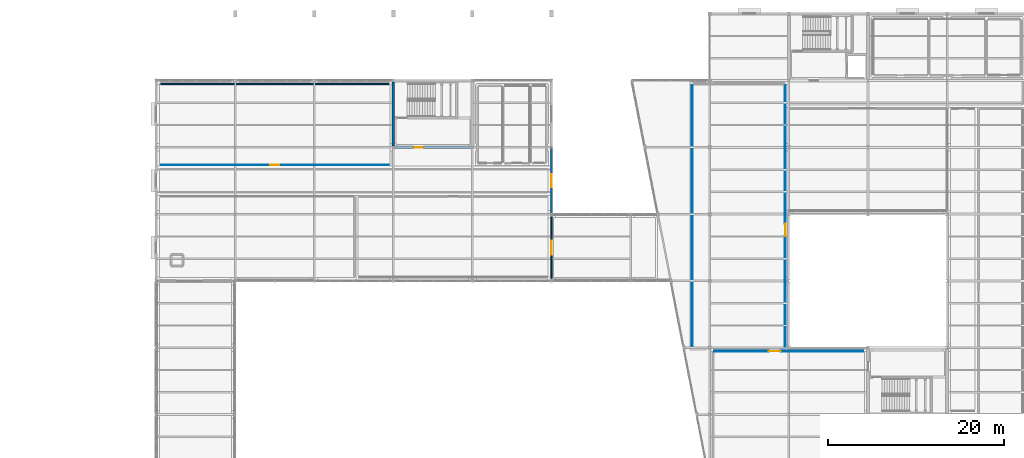
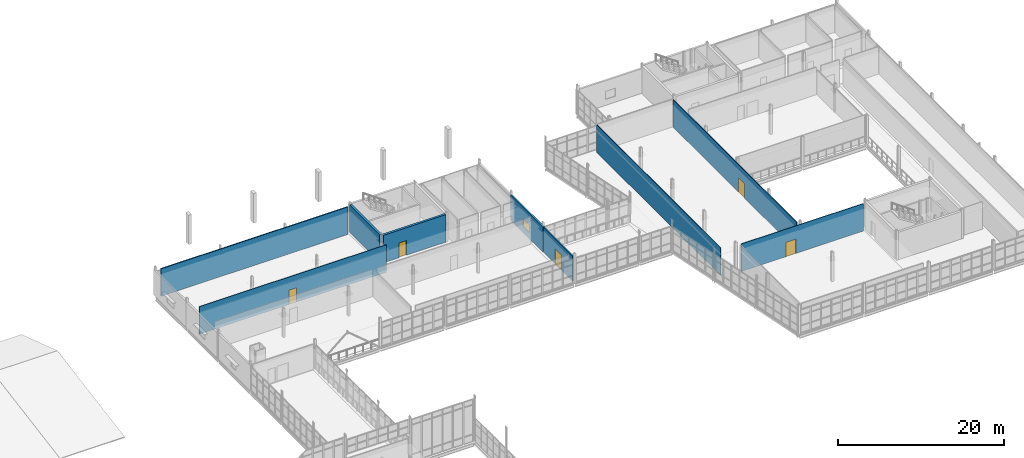
# One storey, part 156 of 166: 9 walls, 5 doors, 1 window, 6 openings.
"""IFC4 building model written with IfcOpenShell, lengths in metres."""

from ifc_helpers import new_model, si_unit, direction, frame, frame_2d, origin, place, context, subcontext, project, spatial, rectangle, extrude, material, layer, layer_set, type_object, element, fill, save


model = new_model("IFC4")

# Units and contexts
model_context = context("Model", 3, precision=1e-05, world=origin(), true_north=direction((0.0, 1.0)))
body_context = subcontext(model_context, "Body", "Model", "MODEL_VIEW")
ifc_project = project(units=[si_unit("LENGTHUNIT", "METRE"), si_unit("AREAUNIT", "SQUARE_METRE"), si_unit("VOLUMEUNIT", "CUBIC_METRE"), si_unit("PLANEANGLEUNIT", "RADIAN"), si_unit("MASSUNIT", "GRAM", prefix="KILO")], contexts=[model_context])

# Site, building, storey
site_placement = place(None, origin())
site = spatial("IfcSite", under=ifc_project, at=site_placement, CompositionType="ELEMENT")
building_placement = place(site_placement, origin())
building = spatial("IfcBuilding", under=site, at=building_placement, Name="Caisbarro Railhouse Central Library", CompositionType="ELEMENT")
storey_placement = place(building_placement, frame((0.0, 0.0, 9.360107421875)))
storey = spatial("IfcBuildingStorey", under=building, at=storey_placement, Name="L02", CompositionType="ELEMENT", Elevation=9.360107421875)

# Wall, opening, door
ifc_material_1 = material(Name="Concrete C40", Category="concrete")
ifc_layer_1 = layer(ifc_material_1, 0.320068359375, Name="Concrete C40")
ifc_layer_set_1 = layer_set([ifc_layer_1], Name="Concrete C40")
wall_type_1 = type_object("IfcWallType", Name="WAL-CW32", PredefinedType="SHEAR", material=ifc_layer_set_1)
wall_1_placement = place(storey_placement, frame((81.159912109375, 98.800048828125, 0.0), z_axis=(0.0, 0.0, 1.0), x_axis=(1.0, 0.0, 0.0)))
wall_1 = element("IfcWall", 1, at=wall_1_placement, inside=storey, type_object=wall_type_1, Name="CW32 RC core shear wall L02 #76", PredefinedType="SHEAR", context=body_context, shape_type="SweptSolid", body=[
    extrude(rectangle(XDim=8.68017578125, YDim=0.320068359375, at=frame_2d((4.340087890625, 0.0))), origin(), (0.0, 0.0, 1.0), 4.039794921875),
])
opening_1_placement = place(wall_1_placement, frame((2.199951171875, 0.0, 0.0)))
opening_1 = element("IfcOpeningElement", 2, at=opening_1_placement, cuts=wall_1, Name="Opening FD05", PredefinedType="OPENING", context=body_context, shape_type="SweptSolid", body=[
    extrude(rectangle(XDim=1.0, YDim=2.14990234375, at=frame_2d((0.5, 1.074951171875))), frame((0.0, 0.169921875, 0.0), z_axis=(0.0, -1.0, 0.0), x_axis=(1.0, 0.0, 0.0)), (0.0, 0.0, 1.0), 0.340087890625),
])
ifc_material_2 = material(Name="Fire-rated painted galvanised steel", Category="steel")
door_type_1 = type_object("IfcDoorType", Name="DR-FD05", OperationType="NOTDEFINED", PredefinedType="DOOR", material=ifc_material_2)
door_1_placement = place(opening_1_placement, origin())
door_1 = element("IfcDoor", 3, at=door_1_placement, inside=storey, type_object=door_type_1, Name="Core K5 Lobby Door FD05 L02-116", OperationType="SINGLE_SWING_LEFT", OverallHeight=2.14990234375, OverallWidth=1.0, PredefinedType="DOOR", context=body_context, shape_type="SweptSolid", body=[
    extrude(rectangle(XDim=1.0, YDim=2.14990234375, at=frame_2d((0.5, 1.074951171875))), frame((0.0, 0.02490234375, 0.0), z_axis=(0.0, -1.0, 0.0), x_axis=(1.0, 0.0, 0.0)), (0.0, 0.0, 1.0), 0.050048828125),
])
fill(opening_1, door_1)

# Wall
wall_2_placement = place(storey_placement, frame((81.0, 98.9599609375, 0.0), z_axis=(0.0, 0.0, 1.0), x_axis=(0.0, 1.0, 0.0)))
element("IfcWall", 4, at=wall_2_placement, inside=storey, type_object=wall_type_1, Name="CW32 RC core shear wall L02 #77", PredefinedType="SHEAR", context=body_context, shape_type="SweptSolid", body=[
    extrude(rectangle(XDim=7.280029296875, YDim=0.320068359375, at=frame_2d((3.64013671875, 0.0))), origin(), (0.0, 0.0, 1.0), 4.039794921875),
])

# Wall, opening, window
ifc_material_3 = material(Name="Concrete C35 insulated architectural precast", Category="concrete")
ifc_layer_2 = layer(ifc_material_3, 0.239990234375, Name="Concrete C35 insulated architectural precast")
ifc_layer_set_2 = layer_set([ifc_layer_2], Name="Concrete C35 insulated architectural precast")
wall_type_2 = type_object("IfcWallType", Name="WAL-EW24", PredefinedType="STANDARD", material=ifc_layer_set_2)
wall_3_placement = place(storey_placement, frame((99.0, 90.989990234375, 0.0), z_axis=(0.0, 0.0, 1.0), x_axis=(0.0, 1.0, 0.0)))
wall_3 = element("IfcWall", 5, at=wall_3_placement, inside=storey, type_object=wall_type_2, Name="EW24 exterior wall L02 #251", PredefinedType="STANDARD", context=body_context, shape_type="SweptSolid", body=[
    extrude(rectangle(XDim=7.81005859375, YDim=0.239990234375, at=frame_2d((3.905029296875, 0.0))), origin(), (0.0, 0.0, 1.0), 3.700927734375),
])
opening_2_placement = place(wall_3_placement, frame((3.260009765625, 0.0, 0.85009765625)))
opening_2 = element("IfcOpeningElement", 6, at=opening_2_placement, cuts=wall_3, Name="Opening W05", PredefinedType="OPENING", context=body_context, shape_type="SweptSolid", body=[
    extrude(rectangle(XDim=1.5, YDim=1.199951171875, at=frame_2d((0.75, 0.60009765625))), frame((0.0, 0.1298828125, 0.0), z_axis=(0.0, -1.0, 0.0), x_axis=(1.0, 0.0, 0.0)), (0.0, 0.0, 1.0), 0.260009765625),
])
ifc_material_4 = material(Name="Double low-e laminated solar-control glass", Category="glass")
window_type = type_object("IfcWindowType", Name="WIN-W05", PartitioningType="SINGLE_PANEL", PredefinedType="WINDOW", material=ifc_material_4)
window_placement = place(opening_2_placement, origin())
window = element("IfcWindow", 7, at=window_placement, inside=storey, type_object=window_type, Name="W05 window L02-098", OverallHeight=1.199951171875, OverallWidth=1.5, PartitioningType="SINGLE_PANEL", PredefinedType="WINDOW", context=body_context, shape_type="SweptSolid", body=[
    extrude(rectangle(XDim=1.5, YDim=1.199951171875, at=frame_2d((0.75, 0.60009765625))), frame((0.0, 0.030029296875, 0.0), z_axis=(0.0, -1.0, 0.0), x_axis=(1.0, 0.0, 0.0)), (0.0, 0.0, 1.0), 0.06005859375),
])
fill(opening_2, window)

# Wall, opening, door
ifc_material_5 = material(Name="Acoustic gypsum board on galvanised steel studs", Category="steel")
ifc_layer_3 = layer(ifc_material_5, 0.090087890625, Name="Acoustic gypsum board on galvanised steel studs")
ifc_layer_set_3 = layer_set([ifc_layer_3], Name="Acoustic gypsum board on galvanised steel studs")
wall_type_3 = type_object("IfcWallType", Name="WAL-IW09", PredefinedType="PARTITIONING", material=ifc_layer_set_3)
wall_4_placement = place(storey_placement, frame((54.52001953125, 96.800048828125, 0.0), z_axis=(0.0, 0.0, 1.0), x_axis=(1.0, 0.0, 0.0)))
wall_4 = element("IfcWall", 8, at=wall_4_placement, inside=storey, type_object=wall_type_3, Name="IW09 partition wall L02 #495", PredefinedType="PARTITIONING", context=body_context, shape_type="SweptSolid", body=[
    extrude(rectangle(XDim=25.9599609375, YDim=0.090087890625, at=frame_2d((12.97998046875, 0.0))), origin(), (0.0, 0.0, 1.0), 4.039794921875),
])
opening_3_placement = place(wall_4_placement, frame((12.469970703125, 0.0, 0.0)))
opening_3 = element("IfcOpeningElement", 9, at=opening_3_placement, cuts=wall_4, Name="Opening ID12", PredefinedType="OPENING", context=body_context, shape_type="SweptSolid", body=[
    extrude(rectangle(XDim=1.02001953125, YDim=2.10009765625, at=frame_2d((0.510009765625, 1.050048828125))), frame((0.0, 0.05517578125, 0.0), z_axis=(0.0, -1.0, 0.0), x_axis=(1.0, 0.0, 0.0)), (0.0, 0.0, 1.0), 0.110107421875),
])
ifc_material_6 = material(Name="Solid-core tropical hardwood veneer", Category="wood")
door_type_2 = type_object("IfcDoorType", Name="DR-ID12", OperationType="NOTDEFINED", PredefinedType="DOOR", material=ifc_material_6)
door_2_placement = place(opening_3_placement, origin())
door_2 = element("IfcDoor", 10, at=door_2_placement, inside=storey, type_object=door_type_2, Name="Civic Oral-History Seminar Room Door ID12 L02-287", OperationType="SINGLE_SWING_LEFT", OverallHeight=2.10009765625, OverallWidth=1.02001953125, PredefinedType="DOOR", context=body_context, shape_type="SweptSolid", body=[
    extrude(rectangle(XDim=1.02001953125, YDim=2.10009765625, at=frame_2d((0.510009765625, 1.050048828125))), frame((0.0, 0.02490234375, 0.0), z_axis=(0.0, -1.0, 0.0), x_axis=(1.0, 0.0, 0.0)), (0.0, 0.0, 1.0), 0.050048828125),
])
fill(opening_3, door_2)

wall_5_placement = place(storey_placement, frame((117.52001953125, 75.60009765625, 0.0), z_axis=(0.0, 0.0, 1.0), x_axis=(1.0, 0.0, 0.0)))
wall_5 = element("IfcWall", 11, at=wall_5_placement, inside=storey, type_object=wall_type_3, Name="IW09 partition wall L02 #507", PredefinedType="PARTITIONING", context=body_context, shape_type="SweptSolid", body=[
    extrude(rectangle(XDim=16.9599609375, YDim=0.090087890625, at=frame_2d((8.47998046875, 0.0))), origin(), (0.0, 0.0, 1.0), 4.039794921875),
])
opening_4_placement = place(wall_5_placement, frame((6.18994140625, 0.0, 0.0)))
opening_4 = element("IfcOpeningElement", 12, at=opening_4_placement, cuts=wall_5, Name="Opening ID17", PredefinedType="OPENING", context=body_context, shape_type="SweptSolid", body=[
    extrude(rectangle(XDim=1.3798828125, YDim=2.10009765625, at=frame_2d((0.68994140625, 1.050048828125))), frame((0.0, 0.05517578125, 0.0), z_axis=(0.0, -1.0, 0.0), x_axis=(1.0, 0.0, 0.0)), (0.0, 0.0, 1.0), 0.110107421875),
])
door_type_3 = type_object("IfcDoorType", Name="DR-ID17", OperationType="NOTDEFINED", PredefinedType="DOOR", material=ifc_material_6)
door_3_placement = place(opening_4_placement, origin())
door_3 = element("IfcDoor", 13, at=door_3_placement, inside=storey, type_object=door_type_3, Name="Music and Fine-Arts Reading Room Door ID17 L02-291", OperationType="SINGLE_SWING_LEFT", OverallHeight=2.10009765625, OverallWidth=1.3798828125, PredefinedType="DOOR", context=body_context, shape_type="SweptSolid", body=[
    extrude(rectangle(XDim=1.3798828125, YDim=2.10009765625, at=frame_2d((0.68994140625, 1.050048828125))), frame((0.0, 0.02490234375, 0.0), z_axis=(0.0, -1.0, 0.0), x_axis=(1.0, 0.0, 0.0)), (0.0, 0.0, 1.0), 0.050048828125),
])
fill(opening_4, door_3)

# Wall
wall_6_placement = place(storey_placement, frame((115.0, 76.1201171875, 0.0), z_axis=(0.0, 0.0, 1.0), x_axis=(0.0, 1.0, 0.0)))
element("IfcWall", 14, at=wall_6_placement, inside=storey, type_object=wall_type_3, Name="IW09 partition wall L02 #511", PredefinedType="PARTITIONING", context=body_context, shape_type="SweptSolid", body=[
    extrude(rectangle(XDim=29.759765625, YDim=0.090087890625, at=frame_2d((14.8798828125, 0.0))), origin(), (0.0, 0.0, 1.0), 4.039794921875),
])

# Wall, opening, door
ifc_layer_4 = layer(ifc_material_5, 0.110107421875, Name="Acoustic gypsum board on galvanised steel studs")
ifc_layer_set_4 = layer_set([ifc_layer_4], Name="Acoustic gypsum board on galvanised steel studs")
wall_type_4 = type_object("IfcWallType", Name="WAL-IW11", PredefinedType="PARTITIONING", material=ifc_layer_set_4)
wall_7_placement = place(storey_placement, frame((125.60009765625, 76.1201171875, 0.0), z_axis=(0.0, 0.0, 1.0), x_axis=(0.0, 1.0, 0.0)))
wall_7 = element("IfcWall", 15, at=wall_7_placement, inside=storey, type_object=wall_type_4, Name="IW11 partition wall L02 #510", PredefinedType="PARTITIONING", context=body_context, shape_type="SweptSolid", body=[
    extrude(rectangle(XDim=29.759765625, YDim=0.110107421875, at=frame_2d((14.8798828125, 0.0))), origin(), (0.0, 0.0, 1.0), 4.039794921875),
])
opening_5_placement = place(wall_7_placement, frame((12.550048828125, 0.0, 0.0)))
opening_5 = element("IfcOpeningElement", 16, at=opening_5_placement, cuts=wall_7, Name="Opening ID18", PredefinedType="OPENING", context=body_context, shape_type="SweptSolid", body=[
    extrude(rectangle(XDim=1.4599609375, YDim=2.10009765625, at=frame_2d((0.72998046875, 1.050048828125))), frame((0.0, 0.06494140625, 0.0), z_axis=(0.0, -1.0, 0.0), x_axis=(1.0, 0.0, 0.0)), (0.0, 0.0, 1.0), 0.130126953125),
])
door_type_4 = type_object("IfcDoorType", Name="DR-ID18", OperationType="NOTDEFINED", PredefinedType="DOOR", material=ifc_material_6)
door_4_placement = place(opening_5_placement, origin())
door_4 = element("IfcDoor", 17, at=door_4_placement, inside=storey, type_object=door_type_4, Name="Splayed Courtyard Reading Room L02 Door ID18 L02-292", OperationType="SINGLE_SWING_RIGHT", OverallHeight=2.10009765625, OverallWidth=1.4599609375, PredefinedType="DOOR", context=body_context, shape_type="SweptSolid", body=[
    extrude(rectangle(XDim=1.4599609375, YDim=2.10009765625, at=frame_2d((0.72998046875, 1.050048828125))), frame((0.0, 0.02490234375, 0.0), z_axis=(0.0, -1.0, 0.0), x_axis=(1.0, 0.0, 0.0)), (0.0, 0.0, 1.0), 0.050048828125),
])
fill(opening_5, door_4)

ifc_layer_5 = layer(ifc_material_5, 0.14990234375, Name="Acoustic gypsum board on galvanised steel studs")
ifc_layer_set_5 = layer_set([ifc_layer_5], Name="Acoustic gypsum board on galvanised steel studs")
wall_type_5 = type_object("IfcWallType", Name="WAL-IW15", PredefinedType="PARTITIONING", material=ifc_layer_set_5)
wall_8_placement = place(storey_placement, frame((99.0, 83.89990234375, 0.0), z_axis=(0.0, 0.0, 1.0), x_axis=(0.0, 1.0, 0.0)))
wall_8 = element("IfcWall", 18, at=wall_8_placement, inside=storey, type_object=wall_type_5, Name="IW15 partition wall L02 #471", PredefinedType="PARTITIONING", context=body_context, shape_type="SweptSolid", body=[
    extrude(rectangle(XDim=7.0, YDim=0.14990234375, at=frame_2d((3.5, 0.0))), origin(), (0.0, 0.0, 1.0), 3.700927734375),
])
opening_6_placement = place(wall_8_placement, frame((2.699951171875, 0.0, 0.0)))
opening_6 = element("IfcOpeningElement", 19, at=opening_6_placement, cuts=wall_8, Name="Opening FD07", PredefinedType="OPENING", context=body_context, shape_type="SweptSolid", body=[
    extrude(rectangle(XDim=1.550048828125, YDim=2.199951171875, at=frame_2d((0.77490234375, 1.10009765625))), frame((0.0, 0.0849609375, 0.0), z_axis=(0.0, -1.0, 0.0), x_axis=(1.0, 0.0, 0.0)), (0.0, 0.0, 1.0), 0.169921875),
])
door_type_5 = type_object("IfcDoorType", Name="DR-FD07", OperationType="NOTDEFINED", PredefinedType="DOOR", material=ifc_material_2)
door_5_placement = place(opening_6_placement, origin())
door_5 = element("IfcDoor", 20, at=door_5_placement, inside=storey, type_object=door_type_5, Name="East Bridge Door FD07 L02-276", OperationType="SINGLE_SWING_RIGHT", OverallHeight=2.199951171875, OverallWidth=1.550048828125, PredefinedType="DOOR", context=body_context, shape_type="SweptSolid", body=[
    extrude(rectangle(XDim=1.550048828125, YDim=2.199951171875, at=frame_2d((0.77490234375, 1.10009765625))), frame((0.0, 0.02490234375, 0.0), z_axis=(0.0, -1.0, 0.0), x_axis=(1.0, 0.0, 0.0)), (0.0, 0.0, 1.0), 0.050048828125),
])
fill(opening_6, door_5)

# Wall
wall_9_placement = place(storey_placement, frame((54.52001953125, 106.0, 0.0), z_axis=(0.0, 0.0, 1.0), x_axis=(1.0, 0.0, 0.0)))
element("IfcWall", 21, at=wall_9_placement, inside=storey, type_object=wall_type_5, Name="IW15 partition wall L02 #496", PredefinedType="PARTITIONING", context=body_context, shape_type="SweptSolid", body=[
    extrude(rectangle(XDim=25.9599609375, YDim=0.14990234375, at=frame_2d((12.97998046875, 0.0))), origin(), (0.0, 0.0, 1.0), 4.039794921875),
])

save(model, "model.ifc")
